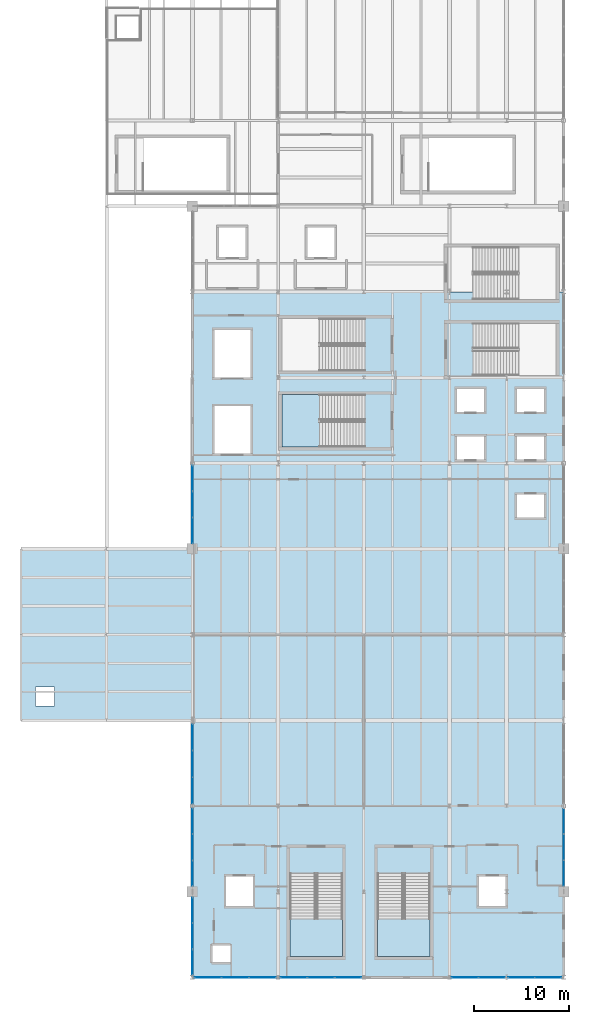
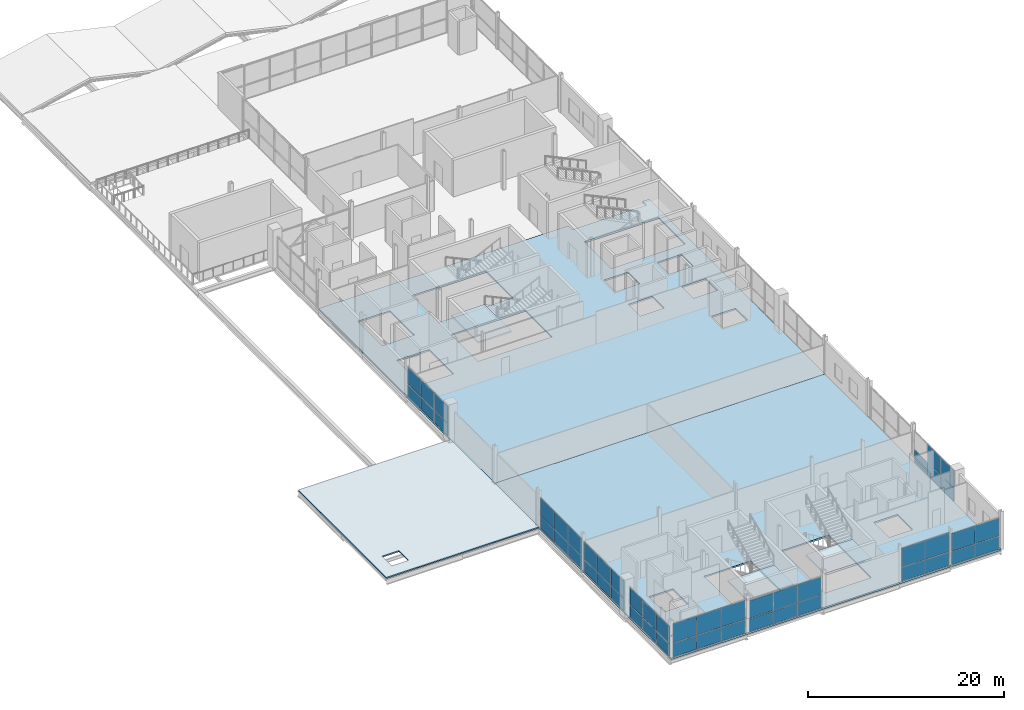
# One storey, part 34 of 50: 49 plates, 6 slabs, 12 elements without a shape of their own.
"""IFC4 building model written with IfcOpenShell, lengths in metres."""

import ifcopenshell
import ifcopenshell.guid

model = None  # the IFC model being written
_history = None  # IfcOwnerHistory: only IFC2X3 demands one
_inside = {}  # id of a spatial element -> (the spatial element, [elements in it])
_under = {}  # id of a project, library or spatial element -> (it, [spatial elements below it])
_declared = {}  # id of a project -> (the project, [libraries it declares])
_typed = {}  # id of a type object -> (the type object, [elements of that type])
_made_of = {}  # id of a material, layer set ... -> (it, [elements and type objects made of it])


def new_model(schema):
    """Start an empty IFC model of exactly this schema.

    Asked for "IFC4X3", IfcOpenShell would pick the latest addendum, in which some entities
    have other attributes; the version numbers below select the first issue.
    IFC2X3 requires an IfcOwnerHistory on every rooted entity: one is made here for all.
    """
    global model, _history
    if schema == "IFC4X3":
        model = ifcopenshell.file(schema_version=(4, 3, 0, 0))
    else:
        model = ifcopenshell.file(schema=schema)
    _inside.clear()
    _under.clear()
    _declared.clear()
    _typed.clear()
    _made_of.clear()
    _history = None
    if model.schema == "IFC2X3":
        org = make("IfcOrganization", Name="unknown")
        user = make(
            "IfcPersonAndOrganization",
            ThePerson=make("IfcPerson", FamilyName="unknown"),
            TheOrganization=org,
        )
        app = make(
            "IfcApplication",
            ApplicationDeveloper=org,
            Version="unknown",
            ApplicationFullName="unknown",
            ApplicationIdentifier="unknown",
        )
        _history = make(
            "IfcOwnerHistory",
            OwningUser=user,
            OwningApplication=app,
            ChangeAction="ADDED",
            CreationDate=0,
        )
    return model


def make(cls, **values):
    """One entity of the class cls with the attributes given. An attribute that is None is left unset."""
    return model.create_entity(
        cls, **{name: value for name, value in values.items() if value is not None}
    )


def rooted(cls, **values):
    """An entity with a GlobalId (a new one), such as an element, a storey or a relation."""
    return make(cls, GlobalId=ifcopenshell.guid.new(), OwnerHistory=_history, **values)


def si_unit(unit_type, name, prefix=None):
    """IfcSIUnit, for example si_unit("LENGTHUNIT", "METRE", prefix="MILLI")."""
    return make("IfcSIUnit", UnitType=unit_type, Prefix=prefix, Name=name)


def assignment(units):
    """IfcUnitAssignment: the units of a project."""
    return None if units is None else make("IfcUnitAssignment", Units=units)


def point(xyz):
    """IfcCartesianPoint."""
    return None if xyz is None else make("IfcCartesianPoint", Coordinates=xyz)


def direction(xyz):
    """IfcDirection."""
    return None if xyz is None else make("IfcDirection", DirectionRatios=xyz)


def frame(location, z_axis=None, x_axis=None):
    """IfcAxis2Placement3D, a coordinate frame: its origin and axes. An axis left out is left unset."""
    return make(
        "IfcAxis2Placement3D",
        Location=point(location),
        Axis=direction(z_axis),
        RefDirection=direction(x_axis),
    )


def frame_2d(location, x_axis=None):
    """IfcAxis2Placement2D, a coordinate frame in the plane: its origin and x axis."""
    return make(
        "IfcAxis2Placement2D", Location=point(location), RefDirection=direction(x_axis)
    )


def origin():
    """The frame at (0, 0, 0) with its axes left unset."""
    return frame((0.0, 0.0, 0.0))


def origin_2d():
    """The frame at (0, 0) in the plane with its x axis left unset."""
    return frame_2d((0.0, 0.0))


def place(relative_to, where):
    """IfcLocalPlacement: puts the frame where relative to a parent placement (None: the world)."""
    return make(
        "IfcLocalPlacement", PlacementRelTo=relative_to, RelativePlacement=where
    )


def context(
    kind, dimensions, precision=None, world=None, true_north=None, identifier=None
):
    """IfcGeometricRepresentationContext, for example the 3D "Model" context."""
    return make(
        "IfcGeometricRepresentationContext",
        ContextIdentifier=identifier,
        ContextType=kind,
        CoordinateSpaceDimension=dimensions,
        Precision=precision,
        WorldCoordinateSystem=world,
        TrueNorth=true_north,
    )


def subcontext(parent, identifier, kind, view, scale=None):
    """IfcGeometricRepresentationSubContext, for example "Body" below "Model"."""
    return make(
        "IfcGeometricRepresentationSubContext",
        ContextIdentifier=identifier,
        ContextType=kind,
        ParentContext=parent,
        TargetScale=scale,
        TargetView=view,
    )


def project(units=None, contexts=None):
    """IfcProject with its units and contexts."""
    return rooted(
        "IfcProject",
        Name="project",
        RepresentationContexts=contexts,
        UnitsInContext=assignment(units),
    )


def spatial(cls, under=None, at=None, **own):
    """A site, building, storey or space (cls), placed at a placement, below another one or the project."""
    s = rooted(cls, ObjectPlacement=at, **own)
    if under is not None:
        _under.setdefault(under.id(), (under, []))[1].append(s)
    return s


def polyline(points):
    """IfcPolyline through the points."""
    return make("IfcPolyline", Points=[point(p) for p in points])


def profile(cls, at=None, kind="AREA", **sizes):
    """A parametric profile (cls). Its sizes go by their IFC names, for example OverallWidth=200.0."""
    return make(cls, ProfileType=kind, Position=at, **sizes)


def rectangle(**sizes):
    """IfcRectangleProfileDef."""
    return profile("IfcRectangleProfileDef", **sizes)


def outline(outer, holes=None, kind="AREA"):
    """IfcArbitraryClosedProfileDef: a profile drawn as a closed curve; with holes, ...WithVoids."""
    if holes is None:
        return make("IfcArbitraryClosedProfileDef", ProfileType=kind, OuterCurve=outer)
    return make(
        "IfcArbitraryProfileDefWithVoids",
        ProfileType=kind,
        OuterCurve=outer,
        InnerCurves=holes,
    )


def extrude(swept, where, along, depth):
    """IfcExtrudedAreaSolid: the profile swept, set in the frame where, extruded along a direction by depth."""
    return make(
        "IfcExtrudedAreaSolid",
        SweptArea=swept,
        Position=where,
        ExtrudedDirection=direction(along),
        Depth=depth,
    )


def shape(context_of_items, identifier, shape_type, items):
    """IfcShapeRepresentation: the items that make up one representation, for example the "Body"."""
    return make(
        "IfcShapeRepresentation",
        ContextOfItems=context_of_items,
        RepresentationIdentifier=identifier,
        RepresentationType=shape_type,
        Items=items,
    )


def material(Name=None, Category=None):
    """IfcMaterial."""
    return make("IfcMaterial", Name=Name, Category=Category)


def layer(
    of_material, thickness, ventilated=None, Name=None, Category=None, Priority=None
):
    """IfcMaterialLayer: one layer of a wall or slab, of a material (None: an air gap)."""
    return make(
        "IfcMaterialLayer",
        Material=of_material,
        LayerThickness=thickness,
        IsVentilated=ventilated,
        Name=Name,
        Category=Category,
        Priority=Priority,
    )


def layer_set(layers, Name=None):
    """IfcMaterialLayerSet."""
    return make("IfcMaterialLayerSet", MaterialLayers=layers, LayerSetName=Name)


def made_of(thing, what):
    """Note that an element or type object is made of a material, layer set ...; save() writes the relation."""
    if what is not None:
        _made_of.setdefault(what.id(), (what, []))[1].append(thing)
    return thing


def type_object(cls, material=None, **own):
    """A type object (cls), such as IfcWallType, which elements share."""
    return made_of(rooted(cls, **own), material)


def element(
    cls,
    number,
    at=None,
    inside=None,
    cuts=None,
    type_object=None,
    material=None,
    context=None,
    identifier="Body",
    shape_type=None,
    held_by="IfcProductDefinitionShape",
    body=None,
    shapes=None,
    **own,
):
    """One element of the class cls, such as IfcWall. Its Tag is "e" and its number.

    at: its placement. inside: the storey or other place that contains it. cuts: it is an
    opening in that element (IfcRelVoidsElement). A single representation is given by context,
    identifier, shape_type and body (its items); several are given by shapes. held_by: the class
    of the entity that holds the representations. save() writes the other relations.
    """
    e = rooted(cls, Tag="e%d" % number, ObjectPlacement=at, **own)
    if body is not None:
        shapes = [shape(context, identifier, shape_type, body)]
    if shapes is not None:
        e.Representation = make(held_by, Representations=shapes)
    if inside is not None:
        _inside.setdefault(inside.id(), (inside, []))[1].append(e)
    if cuts is not None:
        rooted(
            "IfcRelVoidsElement", RelatingBuildingElement=cuts, RelatedOpeningElement=e
        )
    if type_object is not None:
        _typed.setdefault(type_object.id(), (type_object, []))[1].append(e)
    return made_of(e, material)


def aggregate(whole, parts):
    """IfcRelAggregates: a whole, such as a stair, and the parts it consists of."""
    return rooted("IfcRelAggregates", RelatingObject=whole, RelatedObjects=parts)


def save(model, path):
    """Write the relations noted so far, then the file.

    IfcRelAggregates (storeys below a building ...), IfcRelContainedInSpatialStructure (elements
    in a storey), IfcRelDefinesByType, IfcRelAssociatesMaterial and IfcRelDeclares: one each for
    every whole, place, type object, material and project.
    """
    for whole, parts in _under.values():
        aggregate(whole, parts)
    for where, things in _inside.values():
        rooted(
            "IfcRelContainedInSpatialStructure",
            RelatedElements=things,
            RelatingStructure=where,
        )
    for kind, things in _typed.values():
        rooted("IfcRelDefinesByType", RelatedObjects=things, RelatingType=kind)
    for what, things in _made_of.values():
        rooted("IfcRelAssociatesMaterial", RelatedObjects=things, RelatingMaterial=what)
    for by, libraries in _declared.values():
        rooted("IfcRelDeclares", RelatingContext=by, RelatedDefinitions=libraries)
    model.write(path)


model = new_model("IFC4")

# Units and contexts
model_context = context("Model", 3, precision=1e-05, world=origin(), true_north=direction((0.0, 1.0)))
body_context = subcontext(model_context, "Body", "Model", "MODEL_VIEW")
ifc_project = project(units=[si_unit("LENGTHUNIT", "METRE"), si_unit("AREAUNIT", "SQUARE_METRE"), si_unit("VOLUMEUNIT", "CUBIC_METRE"), si_unit("PLANEANGLEUNIT", "RADIAN"), si_unit("MASSUNIT", "GRAM", prefix="KILO")], contexts=[model_context])

# Site, building, storey
site_placement = place(None, origin())
site = spatial("IfcSite", under=ifc_project, at=site_placement, CompositionType="ELEMENT")
building_placement = place(site_placement, origin())
building = spatial("IfcBuilding", under=site, at=building_placement, Name="Qamarlyn Nura Convention Centre", CompositionType="ELEMENT")
storey_placement = place(building_placement, frame((0.0, 0.0, 20.39990234375)))
storey = spatial("IfcBuildingStorey", under=building, at=storey_placement, Name="L04", CompositionType="ELEMENT", Elevation=20.39990234375)

# Curtain wall, plates
ifc_material_1 = material(Name="Double-silver low-E insulated glass", Category="glass")
ifc_layer_1 = layer(ifc_material_1, 0.179931640625, Name="CW-UNIT-134")
ifc_layer_set_1 = layer_set([ifc_layer_1], Name="Double-silver low-E insulated glass")
curtain_wall_type_1 = type_object("IfcCurtainWallType", Name="CW-UNIT-134", PredefinedType="NOTDEFINED", material=ifc_layer_set_1)
curtain_wall_1_placement = place(storey_placement, origin())
curtain_wall_1 = element("IfcCurtainWall", 1, at=curtain_wall_1_placement, inside=storey, type_object=curtain_wall_type_1, Name="L04 unitised curtain wall EAST-2-1", PredefinedType="NOTDEFINED")
ifc_layer_2 = layer(ifc_material_1, 0.028076171875, Name="CWP-VIS-28")
ifc_layer_set_2 = layer_set([ifc_layer_2], Name="Double-silver low-E insulated glass")
plate_type_1 = type_object("IfcPlateType", Name="CWP-VIS-28", PredefinedType="CURTAIN_PANEL", material=ifc_layer_set_2)
plate_1_placement = place(storey_placement, frame((192.0, 16.409912109375, 0.06005859375), z_axis=(0.0, 0.0, 1.0), x_axis=(0.0, -1.0, 0.0)))
plate_1 = element("IfcPlate", 2, at=plate_1_placement, type_object=plate_type_1, Name="CW134 panel 1.1", PredefinedType="CURTAIN_PANEL", context=body_context, shape_type="SweptSolid", body=[
    extrude(rectangle(XDim=2.659912109375, YDim=0.028076171875, at=origin_2d()), origin(), (0.0, 0.0, 1.0), 1.593017578125),
])
plate_2_placement = place(storey_placement, frame((192.0, 13.675048828125, 0.06005859375), z_axis=(0.0, 0.0, 1.0), x_axis=(0.0, -1.0, 0.0)))
plate_2 = element("IfcPlate", 3, at=plate_2_placement, type_object=plate_type_1, Name="CW134 panel 2.1", PredefinedType="CURTAIN_PANEL", context=body_context, shape_type="SweptSolid", body=[
    extrude(rectangle(XDim=2.68994140625, YDim=0.028076171875, at=origin_2d()), origin(), (0.0, 0.0, 1.0), 1.593017578125),
])
plate_3_placement = place(storey_placement, frame((192.0, 13.675048828125, 1.713134765625), z_axis=(0.0, 0.0, 1.0), x_axis=(0.0, -1.0, 0.0)))
plate_3 = element("IfcPlate", 4, at=plate_3_placement, type_object=plate_type_1, Name="CW134 panel 2.2", PredefinedType="CURTAIN_PANEL", context=body_context, shape_type="SweptSolid", body=[
    extrude(rectangle(XDim=2.68994140625, YDim=0.028076171875, at=origin_2d()), origin(), (0.0, 0.0, 1.0), 2.23291015625),
])
plate_4_placement = place(storey_placement, frame((192.0, 10.93994140625, 0.06005859375), z_axis=(0.0, 0.0, 1.0), x_axis=(0.0, -1.0, 0.0)))
plate_4 = element("IfcPlate", 5, at=plate_4_placement, type_object=plate_type_1, Name="CW134 panel 3.1", PredefinedType="CURTAIN_PANEL", context=body_context, shape_type="SweptSolid", body=[
    extrude(rectangle(XDim=2.659912109375, YDim=0.028076171875, at=origin_2d()), origin(), (0.0, 0.0, 1.0), 1.593017578125),
])
plate_5_placement = place(storey_placement, frame((192.0, 10.93994140625, 1.713134765625), z_axis=(0.0, 0.0, 1.0), x_axis=(0.0, -1.0, 0.0)))
plate_5 = element("IfcPlate", 6, at=plate_5_placement, type_object=plate_type_1, Name="CW134 panel 3.2", PredefinedType="CURTAIN_PANEL", context=body_context, shape_type="SweptSolid", body=[
    extrude(rectangle(XDim=2.659912109375, YDim=0.028076171875, at=origin_2d()), origin(), (0.0, 0.0, 1.0), 2.23291015625),
])
aggregate(curtain_wall_1, [plate_1, plate_2, plate_3, plate_4, plate_5])

ifc_layer_3 = layer(ifc_material_1, 0.179931640625, Name="CW-UNIT-142")
ifc_layer_set_3 = layer_set([ifc_layer_3], Name="Double-silver low-E insulated glass")
curtain_wall_type_2 = type_object("IfcCurtainWallType", Name="CW-UNIT-142", PredefinedType="NOTDEFINED", material=ifc_layer_set_3)
curtain_wall_2_placement = place(storey_placement, origin())
curtain_wall_2 = element("IfcCurtainWall", 7, at=curtain_wall_2_placement, inside=storey, type_object=curtain_wall_type_2, Name="L04 unitised curtain wall STH-2-1", PredefinedType="NOTDEFINED")
plate_6_placement = place(storey_placement, frame((169.35986328125, 0.0, 0.0703125), z_axis=(0.0, 0.0, 1.0), x_axis=(-1.0, 0.0, 0.0)))
plate_6 = element("IfcPlate", 8, at=plate_6_placement, type_object=plate_type_1, Name="CW142 panel 1.1", PredefinedType="CURTAIN_PANEL", context=body_context, shape_type="SweptSolid", body=[
    extrude(rectangle(XDim=2.76611328125, YDim=0.028076171875, at=origin_2d()), origin(), (0.0, 0.0, 1.0), 1.577880859375),
])
plate_7_placement = place(storey_placement, frame((169.35986328125, 0.0, 1.71826171875), z_axis=(0.0, 0.0, 1.0), x_axis=(-1.0, 0.0, 0.0)))
plate_7 = element("IfcPlate", 9, at=plate_7_placement, type_object=plate_type_1, Name="CW142 panel 1.2", PredefinedType="CURTAIN_PANEL", context=body_context, shape_type="SweptSolid", body=[
    extrude(rectangle(XDim=2.76611328125, YDim=0.028076171875, at=origin_2d()), origin(), (0.0, 0.0, 1.0), 2.218017578125),
])
plate_8_placement = place(storey_placement, frame((166.50634765625, 0.0, 0.0703125), z_axis=(0.0, 0.0, 1.0), x_axis=(-1.0, 0.0, 0.0)))
plate_8 = element("IfcPlate", 10, at=plate_8_placement, type_object=plate_type_1, Name="CW142 panel 2.1", PredefinedType="CURTAIN_PANEL", context=body_context, shape_type="SweptSolid", body=[
    extrude(rectangle(XDim=2.80126953125, YDim=0.028076171875, at=origin_2d()), origin(), (0.0, 0.0, 1.0), 1.577880859375),
])
plate_9_placement = place(storey_placement, frame((166.50634765625, 0.0, 1.71826171875), z_axis=(0.0, 0.0, 1.0), x_axis=(-1.0, 0.0, 0.0)))
plate_9 = element("IfcPlate", 11, at=plate_9_placement, type_object=plate_type_1, Name="CW142 panel 2.2", PredefinedType="CURTAIN_PANEL", context=body_context, shape_type="SweptSolid", body=[
    extrude(rectangle(XDim=2.80126953125, YDim=0.028076171875, at=origin_2d()), origin(), (0.0, 0.0, 1.0), 2.218017578125),
])
plate_10_placement = place(storey_placement, frame((163.652587890625, 0.0, 0.0703125), z_axis=(0.0, 0.0, 1.0), x_axis=(-1.0, 0.0, 0.0)))
plate_10 = element("IfcPlate", 12, at=plate_10_placement, type_object=plate_type_1, Name="CW142 panel 3.1", PredefinedType="CURTAIN_PANEL", context=body_context, shape_type="SweptSolid", body=[
    extrude(rectangle(XDim=2.76611328125, YDim=0.028076171875, at=origin_2d()), origin(), (0.0, 0.0, 1.0), 1.577880859375),
])
plate_11_placement = place(storey_placement, frame((163.652587890625, 0.0, 1.71826171875), z_axis=(0.0, 0.0, 1.0), x_axis=(-1.0, 0.0, 0.0)))
plate_11 = element("IfcPlate", 13, at=plate_11_placement, type_object=plate_type_1, Name="CW142 panel 3.2", PredefinedType="CURTAIN_PANEL", context=body_context, shape_type="SweptSolid", body=[
    extrude(rectangle(XDim=2.76611328125, YDim=0.028076171875, at=origin_2d()), origin(), (0.0, 0.0, 1.0), 2.218017578125),
])
aggregate(curtain_wall_2, [plate_6, plate_7, plate_8, plate_9, plate_10, plate_11])

ifc_layer_4 = layer(ifc_material_1, 0.179931640625, Name="CW-UNIT-143")
ifc_layer_set_4 = layer_set([ifc_layer_4], Name="Double-silver low-E insulated glass")
curtain_wall_type_3 = type_object("IfcCurtainWallType", Name="CW-UNIT-143", PredefinedType="NOTDEFINED", material=ifc_layer_set_4)
curtain_wall_3_placement = place(storey_placement, origin())
curtain_wall_3 = element("IfcCurtainWall", 14, at=curtain_wall_3_placement, inside=storey, type_object=curtain_wall_type_3, Name="L04 unitised curtain wall STH-4-1", PredefinedType="NOTDEFINED")
plate_12_placement = place(storey_placement, frame((184.45068359375, 0.0, 0.065185546875), z_axis=(0.0, 0.0, 1.0), x_axis=(-1.0, 0.0, 0.0)))
plate_12 = element("IfcPlate", 15, at=plate_12_placement, type_object=plate_type_1, Name="CW143 panel 1.1", PredefinedType="CURTAIN_PANEL", context=body_context, shape_type="SweptSolid", body=[
    extrude(rectangle(XDim=2.757568359375, YDim=0.028076171875, at=origin_2d()), origin(), (0.0, 0.0, 1.0), 1.685546875),
])
plate_13_placement = place(storey_placement, frame((184.45068359375, 0.0, 1.8154296875), z_axis=(0.0, 0.0, 1.0), x_axis=(-1.0, 0.0, 0.0)))
plate_13 = element("IfcPlate", 16, at=plate_13_placement, type_object=plate_type_1, Name="CW143 panel 1.2", PredefinedType="CURTAIN_PANEL", context=body_context, shape_type="SweptSolid", body=[
    extrude(rectangle(XDim=2.757568359375, YDim=0.028076171875, at=origin_2d()), origin(), (0.0, 0.0, 1.0), 2.364501953125),
])
plate_14_placement = place(storey_placement, frame((181.628173828125, 0.0, 0.065185546875), z_axis=(0.0, 0.0, 1.0), x_axis=(-1.0, 0.0, 0.0)))
plate_14 = element("IfcPlate", 17, at=plate_14_placement, type_object=plate_type_1, Name="CW143 panel 2.1", PredefinedType="CURTAIN_PANEL", context=body_context, shape_type="SweptSolid", body=[
    extrude(rectangle(XDim=2.757568359375, YDim=0.028076171875, at=origin_2d()), origin(), (0.0, 0.0, 1.0), 1.685546875),
])
plate_15_placement = place(storey_placement, frame((181.628173828125, 0.0, 1.8154296875), z_axis=(0.0, 0.0, 1.0), x_axis=(-1.0, 0.0, 0.0)))
plate_15 = element("IfcPlate", 18, at=plate_15_placement, type_object=plate_type_1, Name="CW143 panel 2.2", PredefinedType="CURTAIN_PANEL", context=body_context, shape_type="SweptSolid", body=[
    extrude(rectangle(XDim=2.757568359375, YDim=0.028076171875, at=origin_2d()), origin(), (0.0, 0.0, 1.0), 2.364501953125),
])
aggregate(curtain_wall_3, [plate_12, plate_13, plate_14, plate_15])

ifc_layer_5 = layer(ifc_material_1, 0.179931640625, Name="CW-UNIT-144")
ifc_layer_set_5 = layer_set([ifc_layer_5], Name="Double-silver low-E insulated glass")
curtain_wall_type_4 = type_object("IfcCurtainWallType", Name="CW-UNIT-144", PredefinedType="NOTDEFINED", material=ifc_layer_set_5)
curtain_wall_4_placement = place(storey_placement, origin())
curtain_wall_4 = element("IfcCurtainWall", 19, at=curtain_wall_4_placement, inside=storey, type_object=curtain_wall_type_4, Name="L04 unitised curtain wall STH-5-1", PredefinedType="NOTDEFINED")
plate_16_placement = place(storey_placement, frame((190.35791015625, 0.0, 0.06005859375), z_axis=(0.0, 0.0, 1.0), x_axis=(-1.0, 0.0, 0.0)))
plate_16 = element("IfcPlate", 20, at=plate_16_placement, type_object=plate_type_1, Name="CW144 panel 1.1", PredefinedType="CURTAIN_PANEL", context=body_context, shape_type="SweptSolid", body=[
    extrude(rectangle(XDim=2.7548828125, YDim=0.028076171875, at=origin_2d()), origin(), (0.0, 0.0, 1.0), 1.593017578125),
])
plate_17_placement = place(storey_placement, frame((190.35791015625, 0.0, 1.713134765625), z_axis=(0.0, 0.0, 1.0), x_axis=(-1.0, 0.0, 0.0)))
plate_17 = element("IfcPlate", 21, at=plate_17_placement, type_object=plate_type_1, Name="CW144 panel 1.2", PredefinedType="CURTAIN_PANEL", context=body_context, shape_type="SweptSolid", body=[
    extrude(rectangle(XDim=2.7548828125, YDim=0.028076171875, at=origin_2d()), origin(), (0.0, 0.0, 1.0), 2.23291015625),
])
plate_18_placement = place(storey_placement, frame((187.54296875, 0.0, 0.06005859375), z_axis=(0.0, 0.0, 1.0), x_axis=(-1.0, 0.0, 0.0)))
plate_18 = element("IfcPlate", 22, at=plate_18_placement, type_object=plate_type_1, Name="CW144 panel 2.1", PredefinedType="CURTAIN_PANEL", context=body_context, shape_type="SweptSolid", body=[
    extrude(rectangle(XDim=2.7548828125, YDim=0.028076171875, at=origin_2d()), origin(), (0.0, 0.0, 1.0), 1.593017578125),
])
plate_19_placement = place(storey_placement, frame((187.54296875, 0.0, 1.713134765625), z_axis=(0.0, 0.0, 1.0), x_axis=(-1.0, 0.0, 0.0)))
plate_19 = element("IfcPlate", 23, at=plate_19_placement, type_object=plate_type_1, Name="CW144 panel 2.2", PredefinedType="CURTAIN_PANEL", context=body_context, shape_type="SweptSolid", body=[
    extrude(rectangle(XDim=2.7548828125, YDim=0.028076171875, at=origin_2d()), origin(), (0.0, 0.0, 1.0), 2.23291015625),
])
aggregate(curtain_wall_4, [plate_16, plate_17, plate_18, plate_19])

ifc_layer_6 = layer(ifc_material_1, 0.179931640625, Name="CW-UNIT-145")
ifc_layer_set_6 = layer_set([ifc_layer_6], Name="Double-silver low-E insulated glass")
curtain_wall_type_5 = type_object("IfcCurtainWallType", Name="CW-UNIT-145", PredefinedType="NOTDEFINED", material=ifc_layer_set_6)
curtain_wall_5_placement = place(storey_placement, origin())
curtain_wall_5 = element("IfcCurtainWall", 24, at=curtain_wall_5_placement, inside=storey, type_object=curtain_wall_type_5, Name="L04 unitised curtain wall FCW-9-1", PredefinedType="NOTDEFINED")
plate_20_placement = place(storey_placement, frame((153.0, 10.941162109375, 0.065185546875), z_axis=(0.0, 0.0, 1.0), x_axis=(0.0, 1.0, 0.0)))
plate_20 = element("IfcPlate", 25, at=plate_20_placement, type_object=plate_type_1, Name="CW145 panel 1.1", PredefinedType="CURTAIN_PANEL", context=body_context, shape_type="SweptSolid", body=[
    extrude(rectangle(XDim=2.652587890625, YDim=0.028076171875, at=origin_2d()), origin(), (0.0, 0.0, 1.0), 1.5244140625),
])
plate_21_placement = place(storey_placement, frame((153.0, 10.941162109375, 1.654541015625), z_axis=(0.0, 0.0, 1.0), x_axis=(0.0, 1.0, 0.0)))
plate_21 = element("IfcPlate", 26, at=plate_21_placement, type_object=plate_type_1, Name="CW145 panel 1.2", PredefinedType="CURTAIN_PANEL", context=body_context, shape_type="SweptSolid", body=[
    extrude(rectangle(XDim=2.652587890625, YDim=0.028076171875, at=origin_2d()), origin(), (0.0, 0.0, 1.0), 2.1416015625),
])
plate_22_placement = place(storey_placement, frame((153.0, 13.675048828125, 0.065185546875), z_axis=(0.0, 0.0, 1.0), x_axis=(0.0, 1.0, 0.0)))
plate_22 = element("IfcPlate", 27, at=plate_22_placement, type_object=plate_type_1, Name="CW145 panel 2.1", PredefinedType="CURTAIN_PANEL", context=body_context, shape_type="SweptSolid", body=[
    extrude(rectangle(XDim=2.68505859375, YDim=0.028076171875, at=origin_2d()), origin(), (0.0, 0.0, 1.0), 1.5244140625),
])
plate_23_placement = place(storey_placement, frame((153.0, 13.675048828125, 1.654541015625), z_axis=(0.0, 0.0, 1.0), x_axis=(0.0, 1.0, 0.0)))
plate_23 = element("IfcPlate", 28, at=plate_23_placement, type_object=plate_type_1, Name="CW145 panel 2.2", PredefinedType="CURTAIN_PANEL", context=body_context, shape_type="SweptSolid", body=[
    extrude(rectangle(XDim=2.68505859375, YDim=0.028076171875, at=origin_2d()), origin(), (0.0, 0.0, 1.0), 2.1416015625),
])
plate_24_placement = place(storey_placement, frame((153.0, 16.40869140625, 0.065185546875), z_axis=(0.0, 0.0, 1.0), x_axis=(0.0, 1.0, 0.0)))
plate_24 = element("IfcPlate", 29, at=plate_24_placement, type_object=plate_type_1, Name="CW145 panel 3.1", PredefinedType="CURTAIN_PANEL", context=body_context, shape_type="SweptSolid", body=[
    extrude(rectangle(XDim=2.652587890625, YDim=0.028076171875, at=origin_2d()), origin(), (0.0, 0.0, 1.0), 1.5244140625),
])
plate_25_placement = place(storey_placement, frame((153.0, 16.40869140625, 1.654541015625), z_axis=(0.0, 0.0, 1.0), x_axis=(0.0, 1.0, 0.0)))
plate_25 = element("IfcPlate", 30, at=plate_25_placement, type_object=plate_type_1, Name="CW145 panel 3.2", PredefinedType="CURTAIN_PANEL", context=body_context, shape_type="SweptSolid", body=[
    extrude(rectangle(XDim=2.652587890625, YDim=0.028076171875, at=origin_2d()), origin(), (0.0, 0.0, 1.0), 2.1416015625),
])
aggregate(curtain_wall_5, [plate_20, plate_21, plate_22, plate_23, plate_24, plate_25])

ifc_layer_7 = layer(ifc_material_1, 0.179931640625, Name="CW-UNIT-146")
ifc_layer_set_7 = layer_set([ifc_layer_7], Name="Double-silver low-E insulated glass")
curtain_wall_type_6 = type_object("IfcCurtainWallType", Name="CW-UNIT-146", PredefinedType="NOTDEFINED", material=ifc_layer_set_7)
curtain_wall_6_placement = place(storey_placement, origin())
curtain_wall_6 = element("IfcCurtainWall", 31, at=curtain_wall_6_placement, inside=storey, type_object=curtain_wall_type_6, Name="L04 unitised curtain wall FCW-18-1", PredefinedType="NOTDEFINED")
plate_26_placement = place(storey_placement, frame((153.0, 19.623779296875, 0.06005859375), z_axis=(0.0, 0.0, 1.0), x_axis=(0.0, 1.0, 0.0)))
plate_26 = element("IfcPlate", 32, at=plate_26_placement, type_object=plate_type_1, Name="CW146 panel 1.1", PredefinedType="CURTAIN_PANEL", context=body_context, shape_type="SweptSolid", body=[
    extrude(rectangle(XDim=2.7275390625, YDim=0.028076171875, at=origin_2d()), origin(), (0.0, 0.0, 1.0), 1.56201171875),
])
plate_27_placement = place(storey_placement, frame((153.0, 19.623779296875, 1.68212890625), z_axis=(0.0, 0.0, 1.0), x_axis=(0.0, 1.0, 0.0)))
plate_27 = element("IfcPlate", 33, at=plate_27_placement, type_object=plate_type_1, Name="CW146 panel 1.2", PredefinedType="CURTAIN_PANEL", context=body_context, shape_type="SweptSolid", body=[
    extrude(rectangle(XDim=2.7275390625, YDim=0.028076171875, at=origin_2d()), origin(), (0.0, 0.0, 1.0), 2.19189453125),
])
plate_28_placement = place(storey_placement, frame((153.0, 22.42626953125, 0.06005859375), z_axis=(0.0, 0.0, 1.0), x_axis=(0.0, 1.0, 0.0)))
plate_28 = element("IfcPlate", 34, at=plate_28_placement, type_object=plate_type_1, Name="CW146 panel 2.1", PredefinedType="CURTAIN_PANEL", context=body_context, shape_type="SweptSolid", body=[
    extrude(rectangle(XDim=2.757568359375, YDim=0.028076171875, at=origin_2d()), origin(), (0.0, 0.0, 1.0), 1.56201171875),
])
plate_29_placement = place(storey_placement, frame((153.0, 22.42626953125, 1.68212890625), z_axis=(0.0, 0.0, 1.0), x_axis=(0.0, 1.0, 0.0)))
plate_29 = element("IfcPlate", 35, at=plate_29_placement, type_object=plate_type_1, Name="CW146 panel 2.2", PredefinedType="CURTAIN_PANEL", context=body_context, shape_type="SweptSolid", body=[
    extrude(rectangle(XDim=2.757568359375, YDim=0.028076171875, at=origin_2d()), origin(), (0.0, 0.0, 1.0), 2.19189453125),
])
plate_30_placement = place(storey_placement, frame((153.0, 25.228759765625, 0.06005859375), z_axis=(0.0, 0.0, 1.0), x_axis=(0.0, 1.0, 0.0)))
plate_30 = element("IfcPlate", 36, at=plate_30_placement, type_object=plate_type_1, Name="CW146 panel 3.1", PredefinedType="CURTAIN_PANEL", context=body_context, shape_type="SweptSolid", body=[
    extrude(rectangle(XDim=2.7275390625, YDim=0.028076171875, at=origin_2d()), origin(), (0.0, 0.0, 1.0), 1.56201171875),
])
plate_31_placement = place(storey_placement, frame((153.0, 25.228759765625, 1.68212890625), z_axis=(0.0, 0.0, 1.0), x_axis=(0.0, 1.0, 0.0)))
plate_31 = element("IfcPlate", 37, at=plate_31_placement, type_object=plate_type_1, Name="CW146 panel 3.2", PredefinedType="CURTAIN_PANEL", context=body_context, shape_type="SweptSolid", body=[
    extrude(rectangle(XDim=2.7275390625, YDim=0.028076171875, at=origin_2d()), origin(), (0.0, 0.0, 1.0), 2.19189453125),
])
aggregate(curtain_wall_6, [plate_26, plate_27, plate_28, plate_29, plate_30, plate_31])

curtain_wall_7_placement = place(storey_placement, origin())
curtain_wall_7 = element("IfcCurtainWall", 38, at=curtain_wall_7_placement, inside=storey, type_object=curtain_wall_type_5, Name="L04 unitised curtain wall CRT-45-1", PredefinedType="NOTDEFINED")
plate_32_placement = place(storey_placement, frame((153.0, 46.9423828125, 0.070068359375), z_axis=(0.0, 0.0, 1.0), x_axis=(0.0, 1.0, 0.0)))
plate_32 = element("IfcPlate", 39, at=plate_32_placement, type_object=plate_type_1, Name="CW145 panel 1.1", PredefinedType="CURTAIN_PANEL", context=body_context, shape_type="SweptSolid", body=[
    extrude(rectangle(XDim=2.64501953125, YDim=0.028076171875, at=origin_2d()), origin(), (0.0, 0.0, 1.0), 1.51708984375),
])
plate_33_placement = place(storey_placement, frame((153.0, 46.9423828125, 1.6572265625), z_axis=(0.0, 0.0, 1.0), x_axis=(0.0, 1.0, 0.0)))
plate_33 = element("IfcPlate", 40, at=plate_33_placement, type_object=plate_type_1, Name="CW145 panel 1.2", PredefinedType="CURTAIN_PANEL", context=body_context, shape_type="SweptSolid", body=[
    extrude(rectangle(XDim=2.64501953125, YDim=0.028076171875, at=origin_2d()), origin(), (0.0, 0.0, 1.0), 2.134033203125),
])
plate_34_placement = place(storey_placement, frame((153.0, 49.675048828125, 0.070068359375), z_axis=(0.0, 0.0, 1.0), x_axis=(0.0, 1.0, 0.0)))
plate_34 = element("IfcPlate", 41, at=plate_34_placement, type_object=plate_type_1, Name="CW145 panel 2.1", PredefinedType="CURTAIN_PANEL", context=body_context, shape_type="SweptSolid", body=[
    extrude(rectangle(XDim=2.679931640625, YDim=0.028076171875, at=origin_2d()), origin(), (0.0, 0.0, 1.0), 1.51708984375),
])
plate_35_placement = place(storey_placement, frame((153.0, 49.675048828125, 1.6572265625), z_axis=(0.0, 0.0, 1.0), x_axis=(0.0, 1.0, 0.0)))
plate_35 = element("IfcPlate", 42, at=plate_35_placement, type_object=plate_type_1, Name="CW145 panel 2.2", PredefinedType="CURTAIN_PANEL", context=body_context, shape_type="SweptSolid", body=[
    extrude(rectangle(XDim=2.679931640625, YDim=0.028076171875, at=origin_2d()), origin(), (0.0, 0.0, 1.0), 2.134033203125),
])
plate_36_placement = place(storey_placement, frame((153.0, 52.407470703125, 0.070068359375), z_axis=(0.0, 0.0, 1.0), x_axis=(0.0, 1.0, 0.0)))
plate_36 = element("IfcPlate", 43, at=plate_36_placement, type_object=plate_type_1, Name="CW145 panel 3.1", PredefinedType="CURTAIN_PANEL", context=body_context, shape_type="SweptSolid", body=[
    extrude(rectangle(XDim=2.64501953125, YDim=0.028076171875, at=origin_2d()), origin(), (0.0, 0.0, 1.0), 1.51708984375),
])
plate_37_placement = place(storey_placement, frame((153.0, 52.407470703125, 1.6572265625), z_axis=(0.0, 0.0, 1.0), x_axis=(0.0, 1.0, 0.0)))
plate_37 = element("IfcPlate", 44, at=plate_37_placement, type_object=plate_type_1, Name="CW145 panel 3.2", PredefinedType="CURTAIN_PANEL", context=body_context, shape_type="SweptSolid", body=[
    extrude(rectangle(XDim=2.64501953125, YDim=0.028076171875, at=origin_2d()), origin(), (0.0, 0.0, 1.0), 2.134033203125),
])
aggregate(curtain_wall_7, [plate_32, plate_33, plate_34, plate_35, plate_36, plate_37])

ifc_layer_8 = layer(ifc_material_1, 0.179931640625, Name="CW-UNIT-141")
ifc_layer_set_8 = layer_set([ifc_layer_8], Name="Double-silver low-E insulated glass")
curtain_wall_type_7 = type_object("IfcCurtainWallType", Name="CW-UNIT-141", PredefinedType="NOTDEFINED", material=ifc_layer_set_8)
curtain_wall_8_placement = place(storey_placement, origin())
curtain_wall_8 = element("IfcCurtainWall", 45, at=curtain_wall_8_placement, inside=storey, type_object=curtain_wall_type_7, Name="L04 unitised curtain wall STH-1-1", PredefinedType="NOTDEFINED")
ifc_layer_9 = layer(ifc_material_1, 0.031982421875, Name="CWP-VIS-32")
ifc_layer_set_9 = layer_set([ifc_layer_9], Name="Double-silver low-E insulated glass")
plate_type_2 = type_object("IfcPlateType", Name="CWP-VIS-32", PredefinedType="CURTAIN_PANEL", material=ifc_layer_set_9)
plate_38_placement = place(storey_placement, frame((160.352783203125, 0.0, 0.06005859375), z_axis=(0.0, 0.0, 1.0), x_axis=(-1.0, 0.0, 0.0)))
plate_38 = element("IfcPlate", 46, at=plate_38_placement, type_object=plate_type_2, Name="CW141 panel 1.1", PredefinedType="CURTAIN_PANEL", context=body_context, shape_type="SweptSolid", body=[
    extrude(rectangle(XDim=2.775390625, YDim=0.031982421875, at=origin_2d()), origin(), (0.0, 0.0, 1.0), 1.693115234375),
])
plate_39_placement = place(storey_placement, frame((160.352783203125, 0.0, 1.81298828125), z_axis=(0.0, 0.0, 1.0), x_axis=(-1.0, 0.0, 0.0)))
plate_39 = element("IfcPlate", 47, at=plate_39_placement, type_object=plate_type_2, Name="CW141 panel 1.2", PredefinedType="CURTAIN_PANEL", context=body_context, shape_type="SweptSolid", body=[
    extrude(rectangle(XDim=2.775390625, YDim=0.031982421875, at=origin_2d()), origin(), (0.0, 0.0, 1.0), 2.3720703125),
])
plate_40_placement = place(storey_placement, frame((157.50244140625, 0.0, 0.06005859375), z_axis=(0.0, 0.0, 1.0), x_axis=(-1.0, 0.0, 0.0)))
plate_40 = element("IfcPlate", 48, at=plate_40_placement, type_object=plate_type_2, Name="CW141 panel 2.1", PredefinedType="CURTAIN_PANEL", context=body_context, shape_type="SweptSolid", body=[
    extrude(rectangle(XDim=2.805419921875, YDim=0.031982421875, at=origin_2d()), origin(), (0.0, 0.0, 1.0), 1.693115234375),
])
plate_41_placement = place(storey_placement, frame((157.50244140625, 0.0, 1.81298828125), z_axis=(0.0, 0.0, 1.0), x_axis=(-1.0, 0.0, 0.0)))
plate_41 = element("IfcPlate", 49, at=plate_41_placement, type_object=plate_type_2, Name="CW141 panel 2.2", PredefinedType="CURTAIN_PANEL", context=body_context, shape_type="SweptSolid", body=[
    extrude(rectangle(XDim=2.805419921875, YDim=0.031982421875, at=origin_2d()), origin(), (0.0, 0.0, 1.0), 2.3720703125),
])
plate_42_placement = place(storey_placement, frame((154.652099609375, 0.0, 0.06005859375), z_axis=(0.0, 0.0, 1.0), x_axis=(-1.0, 0.0, 0.0)))
plate_42 = element("IfcPlate", 50, at=plate_42_placement, type_object=plate_type_2, Name="CW141 panel 3.1", PredefinedType="CURTAIN_PANEL", context=body_context, shape_type="SweptSolid", body=[
    extrude(rectangle(XDim=2.775390625, YDim=0.031982421875, at=origin_2d()), origin(), (0.0, 0.0, 1.0), 1.693115234375),
])
plate_43_placement = place(storey_placement, frame((154.652099609375, 0.0, 1.81298828125), z_axis=(0.0, 0.0, 1.0), x_axis=(-1.0, 0.0, 0.0)))
plate_43 = element("IfcPlate", 51, at=plate_43_placement, type_object=plate_type_2, Name="CW141 panel 3.2", PredefinedType="CURTAIN_PANEL", context=body_context, shape_type="SweptSolid", body=[
    extrude(rectangle(XDim=2.775390625, YDim=0.031982421875, at=origin_2d()), origin(), (0.0, 0.0, 1.0), 2.3720703125),
])
aggregate(curtain_wall_8, [plate_38, plate_39, plate_40, plate_41, plate_42, plate_43])

curtain_wall_9_placement = place(storey_placement, origin())
curtain_wall_9 = element("IfcCurtainWall", 52, at=curtain_wall_9_placement, inside=storey, type_object=curtain_wall_type_5, Name="L04 unitised curtain wall FCW-0-1", PredefinedType="NOTDEFINED")
plate_44_placement = place(storey_placement, frame((153.0, 1.60302734375, 0.0703125), z_axis=(0.0, 0.0, 1.0), x_axis=(0.0, 1.0, 0.0)))
plate_44 = element("IfcPlate", 53, at=plate_44_placement, type_object=plate_type_2, Name="CW145 panel 1.1", PredefinedType="CURTAIN_PANEL", context=body_context, shape_type="SweptSolid", body=[
    extrude(rectangle(XDim=2.640869140625, YDim=0.031982421875, at=origin_2d()), origin(), (0.0, 0.0, 1.0), 1.511962890625),
])
plate_45_placement = place(storey_placement, frame((153.0, 1.60302734375, 1.652099609375), z_axis=(0.0, 0.0, 1.0), x_axis=(0.0, 1.0, 0.0)))
plate_45 = element("IfcPlate", 54, at=plate_45_placement, type_object=plate_type_2, Name="CW145 panel 1.2", PredefinedType="CURTAIN_PANEL", context=body_context, shape_type="SweptSolid", body=[
    extrude(rectangle(XDim=2.640869140625, YDim=0.031982421875, at=origin_2d()), origin(), (0.0, 0.0, 1.0), 2.1279296875),
])
plate_46_placement = place(storey_placement, frame((153.0, 4.331298828125, 0.0703125), z_axis=(0.0, 0.0, 1.0), x_axis=(0.0, 1.0, 0.0)))
plate_46 = element("IfcPlate", 55, at=plate_46_placement, type_object=plate_type_2, Name="CW145 panel 2.1", PredefinedType="CURTAIN_PANEL", context=body_context, shape_type="SweptSolid", body=[
    extrude(rectangle(XDim=2.67578125, YDim=0.031982421875, at=origin_2d()), origin(), (0.0, 0.0, 1.0), 1.511962890625),
])
plate_47_placement = place(storey_placement, frame((153.0, 4.331298828125, 1.652099609375), z_axis=(0.0, 0.0, 1.0), x_axis=(0.0, 1.0, 0.0)))
plate_47 = element("IfcPlate", 56, at=plate_47_placement, type_object=plate_type_2, Name="CW145 panel 2.2", PredefinedType="CURTAIN_PANEL", context=body_context, shape_type="SweptSolid", body=[
    extrude(rectangle(XDim=2.67578125, YDim=0.031982421875, at=origin_2d()), origin(), (0.0, 0.0, 1.0), 2.1279296875),
])
plate_48_placement = place(storey_placement, frame((153.0, 7.0595703125, 0.0703125), z_axis=(0.0, 0.0, 1.0), x_axis=(0.0, 1.0, 0.0)))
plate_48 = element("IfcPlate", 57, at=plate_48_placement, type_object=plate_type_2, Name="CW145 panel 3.1", PredefinedType="CURTAIN_PANEL", context=body_context, shape_type="SweptSolid", body=[
    extrude(rectangle(XDim=2.640869140625, YDim=0.031982421875, at=origin_2d()), origin(), (0.0, 0.0, 1.0), 1.511962890625),
])
plate_49_placement = place(storey_placement, frame((153.0, 7.0595703125, 1.652099609375), z_axis=(0.0, 0.0, 1.0), x_axis=(0.0, 1.0, 0.0)))
plate_49 = element("IfcPlate", 58, at=plate_49_placement, type_object=plate_type_2, Name="CW145 panel 3.2", PredefinedType="CURTAIN_PANEL", context=body_context, shape_type="SweptSolid", body=[
    extrude(rectangle(XDim=2.640869140625, YDim=0.031982421875, at=origin_2d()), origin(), (0.0, 0.0, 1.0), 2.1279296875),
])
aggregate(curtain_wall_9, [plate_44, plate_45, plate_46, plate_47, plate_48, plate_49])

# Slabs
ifc_material_2 = material(Name="Concrete C40/50", Category="concrete")
ifc_layer_10 = layer(ifc_material_2, 0.159912109375, Name="RF-L04")
ifc_layer_set_10 = layer_set([ifc_layer_10], Name="Concrete C40/50")
slab_type_1 = type_object("IfcSlabType", Name="RF-L04", PredefinedType="ROOF", material=ifc_layer_set_10)
slab_1_placement = place(storey_placement, frame((0.0, 0.0, -0.159912109375)))
element("IfcSlab", 59, at=slab_1_placement, inside=storey, type_object=slab_type_1, Name="L04 flat roof deck R-L04-WS1", PredefinedType="ROOF", context=body_context, shape_type="SweptSolid", body=[
    extrude(outline(polyline([(135.0, 27.0), (135.0, 45.0), (153.0, 45.0), (153.0, 27.0), (135.0, 27.0)]), holes=[polyline([(138.5, 30.5), (136.5, 30.5), (136.5, 28.5), (138.5, 28.5), (138.5, 30.5)])]), origin(), (0.0, 0.0, 1.0), 0.159912109375),
])
ifc_layer_11 = layer(ifc_material_2, 0.199951171875, Name="SL-L04")
ifc_layer_set_11 = layer_set([ifc_layer_11], Name="Concrete C40/50")
slab_type_2 = type_object("IfcSlabType", Name="SL-L04", PredefinedType="FLOOR", material=ifc_layer_set_11)
slab_2_placement = place(storey_placement, frame((0.0, 0.0, -0.199951171875)))
element("IfcSlab", 60, at=slab_2_placement, inside=storey, type_object=slab_type_2, Name="L04 floor slab L04-EB1", PredefinedType="FLOOR", context=body_context, shape_type="SweptSolid", body=[
    extrude(outline(polyline([(153.0, 36.0), (192.0, 36.0), (192.0, 0.0), (153.0, 0.0), (153.0, 36.0)]), holes=[polyline([(155.0, 3.5), (155.0, 1.5), (157.0, 1.5), (157.0, 3.5), (155.0, 3.5)]), polyline([(163.25, 2.199951171875), (168.75, 2.199951171875), (168.75, 10.93994140625), (163.25, 10.93994140625), (163.25, 2.199951171875)]), polyline([(172.449951171875, 2.199951171875), (177.949951171875, 2.199951171875), (177.949951171875, 10.93994140625), (172.449951171875, 10.93994140625), (172.449951171875, 2.199951171875)]), polyline([(159.35009765625, 10.60009765625), (156.550048828125, 10.60009765625), (156.550048828125, 7.5), (159.35009765625, 7.5), (159.35009765625, 10.60009765625)]), polyline([(185.89990234375, 10.60009765625), (183.10009765625, 10.60009765625), (183.10009765625, 7.5), (185.89990234375, 7.5), (185.89990234375, 10.60009765625)])]), origin(), (0.0, 0.0, 1.0), 0.199951171875),
])
slab_3_placement = place(storey_placement, frame((0.0, 0.0, -0.199951171875)))
element("IfcSlab", 61, at=slab_3_placement, inside=storey, type_object=slab_type_2, Name="L04 floor slab L04-EB2", PredefinedType="FLOOR", context=body_context, shape_type="SweptSolid", body=[
    extrude(outline(polyline([(192.0, 72.0), (192.0, 36.0), (153.0, 36.0), (153.0, 72.0), (182.4599609375, 72.0), (182.4599609375, 71.199951171875), (191.199951171875, 71.199951171875), (191.199951171875, 72.0), (192.0, 72.0)]), holes=[polyline([(159.10009765625, 60.0), (155.300048828125, 60.0), (155.300048828125, 55.0), (159.10009765625, 55.0), (159.10009765625, 60.0)]), polyline([(162.39990234375, 61.199951171875), (162.39990234375, 55.699951171875), (171.139892578125, 55.699951171875), (171.139892578125, 61.199951171875), (162.39990234375, 61.199951171875)]), polyline([(159.10009765625, 68.0), (155.300048828125, 68.0), (155.300048828125, 63.0), (159.10009765625, 63.0), (159.10009765625, 68.0)]), polyline([(162.39990234375, 69.199951171875), (162.39990234375, 63.699951171875), (171.139892578125, 63.699951171875), (171.139892578125, 69.199951171875), (162.39990234375, 69.199951171875)]), polyline([(189.925048828125, 50.699951171875), (187.074951171875, 50.699951171875), (187.074951171875, 48.300048828125), (189.925048828125, 48.300048828125), (189.925048828125, 50.699951171875)]), polyline([(183.625, 54.39990234375), (183.625, 56.800048828125), (180.77490234375, 56.800048828125), (180.77490234375, 54.39990234375), (183.625, 54.39990234375)]), polyline([(189.925048828125, 54.39990234375), (189.925048828125, 56.800048828125), (187.074951171875, 56.800048828125), (187.074951171875, 54.39990234375), (189.925048828125, 54.39990234375)]), polyline([(183.625, 61.800048828125), (180.77490234375, 61.800048828125), (180.77490234375, 59.39990234375), (183.625, 59.39990234375), (183.625, 61.800048828125)]), polyline([(189.925048828125, 61.800048828125), (187.074951171875, 61.800048828125), (187.074951171875, 59.39990234375), (189.925048828125, 59.39990234375), (189.925048828125, 61.800048828125)]), polyline([(191.199951171875, 63.199951171875), (191.199951171875, 68.699951171875), (182.4599609375, 68.699951171875), (182.4599609375, 63.199951171875), (191.199951171875, 63.199951171875)])]), origin(), (0.0, 0.0, 1.0), 0.199951171875),
])

# Stair, slab
stair_type = type_object("IfcStairType", Name="STAIR-EXIT-48", PredefinedType="HALF_TURN_STAIR", material=ifc_material_2)
stair_1_placement = place(storey_placement, origin())
stair_1 = element("IfcStair", 62, at=stair_1_placement, inside=storey, type_object=stair_type, Name="L04 Enclosed exit stair ST-09", PredefinedType="HALF_TURN_STAIR")
ifc_layer_12 = layer(ifc_material_2, 0.199951171875, Name="SL-LAND-200")
ifc_layer_set_12 = layer_set([ifc_layer_12], Name="Concrete C40/50")
slab_type_3 = type_object("IfcSlabType", Name="SL-LAND-200", PredefinedType="LANDING", material=ifc_layer_set_12)
slab_4_placement = place(storey_placement, frame((0.0, 0.0, 2.2001953125)))
slab_4 = element("IfcSlab", 63, at=slab_4_placement, type_object=slab_type_3, Name="ST-09 landing 1", PredefinedType="LANDING", context=body_context, shape_type="SweptSolid", body=[
    extrude(outline(polyline([(163.25, 6.139892578125), (163.25, 2.199951171875), (168.75, 2.199951171875), (168.75, 6.139892578125), (163.25, 6.139892578125)])), origin(), (0.0, 0.0, 1.0), 0.199951171875),
])
aggregate(stair_1, [slab_4])

stair_2_placement = place(storey_placement, origin())
stair_2 = element("IfcStair", 64, at=stair_2_placement, inside=storey, type_object=stair_type, Name="L04 Enclosed exit stair ST-10", PredefinedType="HALF_TURN_STAIR")
slab_5_placement = place(storey_placement, frame((0.0, 0.0, 2.2001953125)))
slab_5 = element("IfcSlab", 65, at=slab_5_placement, type_object=slab_type_3, Name="ST-10 landing 1", PredefinedType="LANDING", context=body_context, shape_type="SweptSolid", body=[
    extrude(outline(polyline([(172.449951171875, 6.139892578125), (172.449951171875, 2.199951171875), (177.949951171875, 2.199951171875), (177.949951171875, 6.139892578125), (172.449951171875, 6.139892578125)])), origin(), (0.0, 0.0, 1.0), 0.199951171875),
])
aggregate(stair_2, [slab_5])

stair_3_placement = place(storey_placement, origin())
stair_3 = element("IfcStair", 66, at=stair_3_placement, inside=storey, type_object=stair_type, Name="L04 Enclosed exit stair ST-11", PredefinedType="HALF_TURN_STAIR")
slab_6_placement = place(storey_placement, frame((0.0, 0.0, 2.2001953125)))
slab_6 = element("IfcSlab", 67, at=slab_6_placement, type_object=slab_type_3, Name="ST-11 landing 1", PredefinedType="LANDING", context=body_context, shape_type="SweptSolid", body=[
    extrude(outline(polyline([(166.340087890625, 61.199951171875), (162.39990234375, 61.199951171875), (162.39990234375, 55.699951171875), (166.340087890625, 55.699951171875), (166.340087890625, 61.199951171875)])), origin(), (0.0, 0.0, 1.0), 0.199951171875),
])
aggregate(stair_3, [slab_6])

save(model, "model.ifc")
